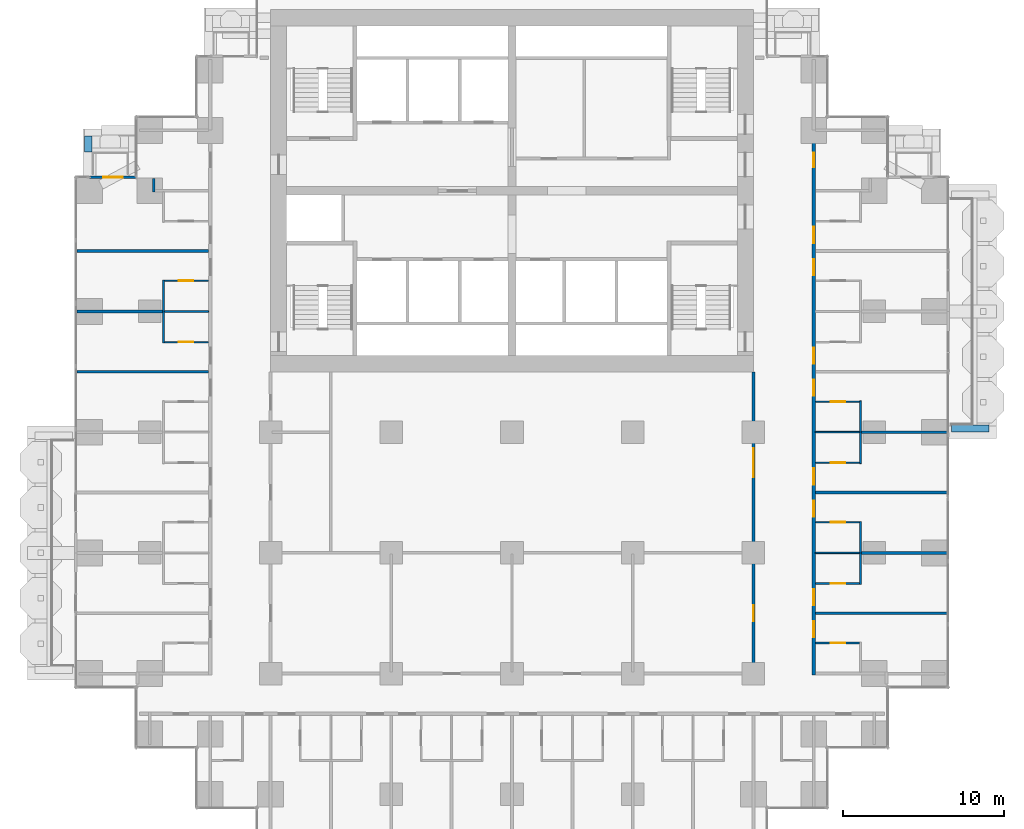
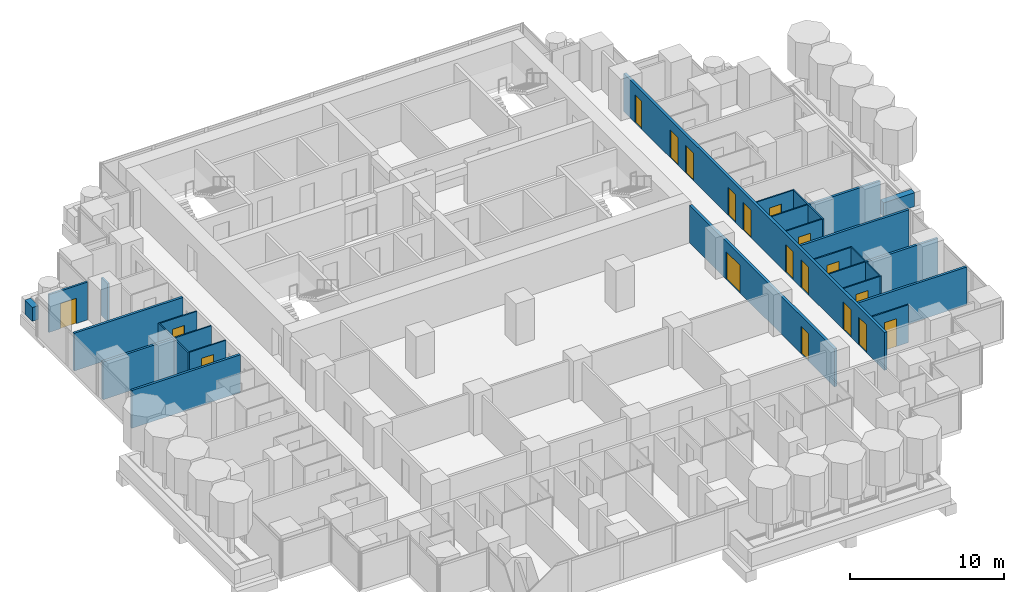
# One storey, part 13 of 19: 26 walls, 19 doors, 19 openings.
"""IFC4 building model written with IfcOpenShell, lengths in metres."""

from ifc_helpers import new_model, si_unit, direction, frame, frame_2d, origin, place, context, subcontext, project, spatial, rectangle, extrude, material, layer, layer_set, type_object, element, fill, save


model = new_model("IFC4")

# Units and contexts
model_context = context("Model", 3, precision=1e-05, world=origin(), true_north=direction((0.0, 1.0)))
body_context = subcontext(model_context, "Body", "Model", "MODEL_VIEW")
ifc_project = project(units=[si_unit("LENGTHUNIT", "METRE"), si_unit("AREAUNIT", "SQUARE_METRE"), si_unit("VOLUMEUNIT", "CUBIC_METRE"), si_unit("PLANEANGLEUNIT", "RADIAN"), si_unit("MASSUNIT", "GRAM", prefix="KILO")], contexts=[model_context])

# Site, building, storey
site_placement = place(None, origin())
site = spatial("IfcSite", under=ifc_project, at=site_placement, CompositionType="ELEMENT")
building_placement = place(site_placement, origin())
building = spatial("IfcBuilding", under=site, at=building_placement, Name="Pilkhan Gate Tower", CompositionType="ELEMENT")
storey_placement = place(building_placement, frame((0.0, 0.0, 46.10009765625)))
storey = spatial("IfcBuildingStorey", under=building, at=storey_placement, Name="L08", CompositionType="ELEMENT", Elevation=46.10009765625)

# Walls
ifc_material_1 = material(Name="Dense blockwork", Category="masonry")
ifc_layer_1 = layer(ifc_material_1, 0.175048828125)
ifc_layer_set_1 = layer_set([ifc_layer_1], Name="Acoustic party wall PW175")
wall_type_1 = type_object("IfcWallType", Name="Acoustic party wall PW175", PredefinedType="PARTITIONING", material=ifc_layer_set_1)
wall_1_placement = place(storey_placement, frame((93.85009765625, 56.25, 0.0), z_axis=(0.0, 0.0, 1.0), x_axis=(1.0, 0.0, 0.0)))
element("IfcWall", 1, at=wall_1_placement, inside=storey, type_object=wall_type_1, Name="Partition L08", PredefinedType="PARTITIONING", context=body_context, shape_type="SweptSolid", body=[
    extrude(rectangle(XDim=8.164794921875, YDim=0.175048828125, at=frame_2d((4.08251953125, 0.0))), origin(), (0.0, 0.0, 1.0), 3.0),
])
wall_2_placement = place(storey_placement, frame((96.699951171875, 60.0, 0.0), z_axis=(0.0, 0.0, 1.0), x_axis=(1.0, 0.0, 0.0)))
element("IfcWall", 2, at=wall_2_placement, inside=storey, type_object=wall_type_1, Name="Partition L08", PredefinedType="PARTITIONING", context=body_context, shape_type="SweptSolid", body=[
    extrude(rectangle(XDim=5.31494140625, YDim=0.175048828125, at=frame_2d((2.657470703125, 0.0))), origin(), (0.0, 0.0, 1.0), 3.0),
])
wall_3_placement = place(storey_placement, frame((93.85009765625, 63.75, 0.0), z_axis=(0.0, 0.0, 1.0), x_axis=(1.0, 0.0, 0.0)))
element("IfcWall", 3, at=wall_3_placement, inside=storey, type_object=wall_type_1, Name="Partition L08", PredefinedType="PARTITIONING", context=body_context, shape_type="SweptSolid", body=[
    extrude(rectangle(XDim=8.164794921875, YDim=0.175048828125, at=frame_2d((4.08251953125, 0.0))), origin(), (0.0, 0.0, 1.0), 3.0),
])
wall_4_placement = place(storey_placement, frame((96.699951171875, 67.5, 0.0), z_axis=(0.0, 0.0, 1.0), x_axis=(1.0, 0.0, 0.0)))
element("IfcWall", 4, at=wall_4_placement, inside=storey, type_object=wall_type_1, Name="Partition L08", PredefinedType="PARTITIONING", context=body_context, shape_type="SweptSolid", body=[
    extrude(rectangle(XDim=5.31494140625, YDim=0.175048828125, at=frame_2d((2.657470703125, 0.0))), origin(), (0.0, 0.0, 1.0), 3.0),
])
wall_5_placement = place(storey_placement, frame((47.985107421875, 71.25, 0.0), z_axis=(0.0, 0.0, 1.0), x_axis=(1.0, 0.0, 0.0)))
element("IfcWall", 5, at=wall_5_placement, inside=storey, type_object=wall_type_1, Name="Partition L08", PredefinedType="PARTITIONING", context=body_context, shape_type="SweptSolid", body=[
    extrude(rectangle(XDim=8.164794921875, YDim=0.175048828125, at=frame_2d((4.08251953125, 0.0))), origin(), (0.0, 0.0, 1.0), 3.0),
])
wall_6_placement = place(storey_placement, frame((47.985107421875, 75.0, 0.0), z_axis=(0.0, 0.0, 1.0), x_axis=(1.0, 0.0, 0.0)))
element("IfcWall", 6, at=wall_6_placement, inside=storey, type_object=wall_type_1, Name="Partition L08", PredefinedType="PARTITIONING", context=body_context, shape_type="SweptSolid", body=[
    extrude(rectangle(XDim=5.31494140625, YDim=0.175048828125, at=frame_2d((2.657470703125, 0.0))), origin(), (0.0, 0.0, 1.0), 3.0),
])
wall_7_placement = place(storey_placement, frame((47.985107421875, 78.75, 0.0), z_axis=(0.0, 0.0, 1.0), x_axis=(1.0, 0.0, 0.0)))
element("IfcWall", 7, at=wall_7_placement, inside=storey, type_object=wall_type_1, Name="Partition L08", PredefinedType="PARTITIONING", context=body_context, shape_type="SweptSolid", body=[
    extrude(rectangle(XDim=8.164794921875, YDim=0.175048828125, at=frame_2d((4.08251953125, 0.0))), origin(), (0.0, 0.0, 1.0), 3.0),
])
ifc_material_2 = material(Name="Board-marked Concrete C40/50", Category="concrete")
ifc_layer_2 = layer(ifc_material_2, 0.449951171875)
ifc_layer_set_2 = layer_set([ifc_layer_2], Name="Balcony planter lip BL450")
wall_type_2 = type_object("IfcWallType", Name="Balcony planter lip BL450", PredefinedType="USERDEFINED", material=ifc_layer_set_2)
wall_8_placement = place(storey_placement, frame((102.320068359375, 67.72509765625, 0.0), z_axis=(0.0, 0.0, 1.0), x_axis=(1.0, 0.0, 0.0)))
element("IfcWall", 8, at=wall_8_placement, inside=storey, type_object=wall_type_2, Name="Balcony planter L08 E", ObjectType="BALCONY PLANTER", PredefinedType="USERDEFINED", context=body_context, shape_type="SweptSolid", body=[
    extrude(rectangle(XDim=2.329833984375, YDim=0.449951171875, at=frame_2d((1.1650390625, 0.0))), origin(), (0.0, 0.0, 1.0), 1.099853515625),
])
wall_9_placement = place(storey_placement, frame((48.675048828125, 84.89990234375, 0.0), z_axis=(0.0, 0.0, 1.0), x_axis=(0.0, 1.0, 0.0)))
element("IfcWall", 9, at=wall_9_placement, inside=storey, type_object=wall_type_2, Name="Balcony planter L08 N", ObjectType="BALCONY PLANTER", PredefinedType="USERDEFINED", context=body_context, shape_type="SweptSolid", body=[
    extrude(rectangle(XDim=1.0, YDim=0.449951171875, at=frame_2d((0.5, 0.0))), origin(), (0.0, 0.0, 1.0), 1.099853515625),
])

# Wall, openings, doors
ifc_layer_3 = layer(ifc_material_1, 0.199951171875)
ifc_layer_set_3 = layer_set([ifc_layer_3], Name="Corridor wall FW200")
wall_type_3 = type_object("IfcWallType", Name="Corridor wall FW200", PredefinedType="PARTITIONING", material=ifc_layer_set_3)
wall_10_placement = place(storey_placement, frame((90.0, 52.39990234375, 0.0), z_axis=(0.0, 0.0, 1.0), x_axis=(0.0, 1.0, 0.0)))
wall_10 = element("IfcWall", 10, at=wall_10_placement, inside=storey, type_object=wall_type_3, Name="Partition L08", PredefinedType="PARTITIONING", context=body_context, shape_type="SweptSolid", body=[
    extrude(rectangle(XDim=18.840087890625, YDim=0.199951171875, at=frame_2d((9.419921875, 0.0))), origin(), (0.0, 0.0, 1.0), 3.0),
])
opening_1_placement = place(wall_10_placement, frame((3.35009765625, 0.0, 0.0)))
opening_1 = element("IfcOpeningElement", 11, at=opening_1_placement, cuts=wall_10, Name="Opening L08-70", PredefinedType="OPENING", context=body_context, shape_type="SweptSolid", body=[
    extrude(rectangle(XDim=1.0, YDim=2.199951171875, at=frame_2d((0.5, 1.10009765625))), frame((0.0, 0.10986328125, 0.0), z_axis=(0.0, -1.0, 0.0), x_axis=(1.0, 0.0, 0.0)), (0.0, 0.0, 1.0), 0.219970703125),
])
opening_2_placement = place(wall_10_placement, frame((12.300048828125, 0.0, 0.0)))
opening_2 = element("IfcOpeningElement", 12, at=opening_2_placement, cuts=wall_10, Name="Opening L08-73", PredefinedType="OPENING", context=body_context, shape_type="SweptSolid", body=[
    extrude(rectangle(XDim=1.800048828125, YDim=2.199951171875, at=frame_2d((0.89990234375, 1.10009765625))), frame((0.0, 0.10986328125, 0.0), z_axis=(0.0, -1.0, 0.0), x_axis=(1.0, 0.0, 0.0)), (0.0, 0.0, 1.0), 0.219970703125),
])
ifc_material_3 = material(Name="Timber glazed double door, 30 minute fire resisting", Category="wood")
door_type_1 = type_object("IfcDoorType", Name="Double door D04 1800x2200", OperationType="DOUBLE_DOOR_SINGLE_SWING", PredefinedType="DOOR", material=ifc_material_3)
door_1_placement = place(opening_2_placement, origin())
door_1 = element("IfcDoor", 13, at=door_1_placement, inside=storey, type_object=door_type_1, Name="Double door", OperationType="DOUBLE_DOOR_SINGLE_SWING", OverallHeight=2.199951171875, OverallWidth=1.800048828125, PredefinedType="DOOR", context=body_context, shape_type="SweptSolid", body=[
    extrude(rectangle(XDim=1.800048828125, YDim=2.199951171875, at=frame_2d((0.89990234375, 1.10009765625))), frame((0.0, 0.02490234375, 0.0), z_axis=(0.0, -1.0, 0.0), x_axis=(1.0, 0.0, 0.0)), (0.0, 0.0, 1.0), 0.050048828125),
])
fill(opening_2, door_1)
ifc_material_4 = material(Name="Timber flush door, 30 minute fire resisting", Category="wood")
door_type_2 = type_object("IfcDoorType", Name="Room door D03 1000x2200", OperationType="SINGLE_SWING_LEFT", PredefinedType="DOOR", material=ifc_material_4)
door_2_placement = place(opening_1_placement, origin())
door_2 = element("IfcDoor", 14, at=door_2_placement, inside=storey, type_object=door_type_2, Name="Room door", OperationType="SINGLE_SWING_LEFT", OverallHeight=2.199951171875, OverallWidth=1.0, PredefinedType="DOOR", context=body_context, shape_type="SweptSolid", body=[
    extrude(rectangle(XDim=1.0, YDim=2.199951171875, at=frame_2d((0.5, 1.10009765625))), frame((0.0, 0.02490234375, 0.0), z_axis=(0.0, -1.0, 0.0), x_axis=(1.0, 0.0, 0.0)), (0.0, 0.0, 1.0), 0.050048828125),
])
fill(opening_1, door_2)

wall_11_placement = place(storey_placement, frame((93.75, 52.39990234375, 0.0), z_axis=(0.0, 0.0, 1.0), x_axis=(0.0, 1.0, 0.0)))
wall_11 = element("IfcWall", 15, at=wall_11_placement, inside=storey, type_object=wall_type_3, Name="Partition L08", PredefinedType="PARTITIONING", context=body_context, shape_type="SweptSolid", body=[
    extrude(rectangle(XDim=33.925048828125, YDim=0.199951171875, at=frame_2d((16.96240234375, 0.0))), origin(), (0.0, 0.0, 1.0), 3.0),
])
opening_3_placement = place(wall_11_placement, frame((2.35009765625, 0.0, 0.0)))
opening_3 = element("IfcOpeningElement", 16, at=opening_3_placement, cuts=wall_11, Name="Opening L08-42", PredefinedType="OPENING", context=body_context, shape_type="SweptSolid", body=[
    extrude(rectangle(XDim=1.0, YDim=2.199951171875, at=frame_2d((0.5, 1.10009765625))), frame((0.0, 0.10986328125, 0.0), z_axis=(0.0, -1.0, 0.0), x_axis=(1.0, 0.0, 0.0)), (0.0, 0.0, 1.0), 0.219970703125),
])
opening_4_placement = place(wall_11_placement, frame((4.35009765625, 0.0, 0.0)))
opening_4 = element("IfcOpeningElement", 17, at=opening_4_placement, cuts=wall_11, Name="Opening L08-44", PredefinedType="OPENING", context=body_context, shape_type="SweptSolid", body=[
    extrude(rectangle(XDim=1.0, YDim=2.199951171875, at=frame_2d((0.5, 1.10009765625))), frame((0.0, 0.10986328125, 0.0), z_axis=(0.0, -1.0, 0.0), x_axis=(1.0, 0.0, 0.0)), (0.0, 0.0, 1.0), 0.219970703125),
])
opening_5_placement = place(wall_11_placement, frame((9.85009765625, 0.0, 0.0)))
opening_5 = element("IfcOpeningElement", 18, at=opening_5_placement, cuts=wall_11, Name="Opening L08-46", PredefinedType="OPENING", context=body_context, shape_type="SweptSolid", body=[
    extrude(rectangle(XDim=1.0, YDim=2.199951171875, at=frame_2d((0.5, 1.10009765625))), frame((0.0, 0.10986328125, 0.0), z_axis=(0.0, -1.0, 0.0), x_axis=(1.0, 0.0, 0.0)), (0.0, 0.0, 1.0), 0.219970703125),
])
opening_6_placement = place(wall_11_placement, frame((11.85009765625, 0.0, 0.0)))
opening_6 = element("IfcOpeningElement", 19, at=opening_6_placement, cuts=wall_11, Name="Opening L08-48", PredefinedType="OPENING", context=body_context, shape_type="SweptSolid", body=[
    extrude(rectangle(XDim=1.0, YDim=2.199951171875, at=frame_2d((0.5, 1.10009765625))), frame((0.0, 0.10986328125, 0.0), z_axis=(0.0, -1.0, 0.0), x_axis=(1.0, 0.0, 0.0)), (0.0, 0.0, 1.0), 0.219970703125),
])
opening_7_placement = place(wall_11_placement, frame((17.35009765625, 0.0, 0.0)))
opening_7 = element("IfcOpeningElement", 20, at=opening_7_placement, cuts=wall_11, Name="Opening L08-50", PredefinedType="OPENING", context=body_context, shape_type="SweptSolid", body=[
    extrude(rectangle(XDim=1.0, YDim=2.199951171875, at=frame_2d((0.5, 1.10009765625))), frame((0.0, 0.10986328125, 0.0), z_axis=(0.0, -1.0, 0.0), x_axis=(1.0, 0.0, 0.0)), (0.0, 0.0, 1.0), 0.219970703125),
])
opening_8_placement = place(wall_11_placement, frame((19.35009765625, 0.0, 0.0)))
opening_8 = element("IfcOpeningElement", 21, at=opening_8_placement, cuts=wall_11, Name="Opening L08-52", PredefinedType="OPENING", context=body_context, shape_type="SweptSolid", body=[
    extrude(rectangle(XDim=1.0, YDim=2.199951171875, at=frame_2d((0.5, 1.10009765625))), frame((0.0, 0.10986328125, 0.0), z_axis=(0.0, -1.0, 0.0), x_axis=(1.0, 0.0, 0.0)), (0.0, 0.0, 1.0), 0.219970703125),
])
opening_9_placement = place(wall_11_placement, frame((24.85009765625, 0.0, 0.0)))
opening_9 = element("IfcOpeningElement", 22, at=opening_9_placement, cuts=wall_11, Name="Opening L08-54", PredefinedType="OPENING", context=body_context, shape_type="SweptSolid", body=[
    extrude(rectangle(XDim=1.0, YDim=2.199951171875, at=frame_2d((0.5, 1.10009765625))), frame((0.0, 0.10986328125, 0.0), z_axis=(0.0, -1.0, 0.0), x_axis=(1.0, 0.0, 0.0)), (0.0, 0.0, 1.0), 0.219970703125),
])
opening_10_placement = place(wall_11_placement, frame((26.85009765625, 0.0, 0.0)))
opening_10 = element("IfcOpeningElement", 23, at=opening_10_placement, cuts=wall_11, Name="Opening L08-56", PredefinedType="OPENING", context=body_context, shape_type="SweptSolid", body=[
    extrude(rectangle(XDim=1.0, YDim=2.199951171875, at=frame_2d((0.5, 1.10009765625))), frame((0.0, 0.10986328125, 0.0), z_axis=(0.0, -1.0, 0.0), x_axis=(1.0, 0.0, 0.0)), (0.0, 0.0, 1.0), 0.219970703125),
])
opening_11_placement = place(wall_11_placement, frame((31.550048828125, 0.0, 0.0)))
opening_11 = element("IfcOpeningElement", 24, at=opening_11_placement, cuts=wall_11, Name="Opening L08-66", PredefinedType="OPENING", context=body_context, shape_type="SweptSolid", body=[
    extrude(rectangle(XDim=0.89990234375, YDim=2.199951171875, at=frame_2d((0.449951171875, 1.10009765625))), frame((0.0, 0.10986328125, 0.0), z_axis=(0.0, -1.0, 0.0), x_axis=(1.0, 0.0, 0.0)), (0.0, 0.0, 1.0), 0.219970703125),
])
door_type_3 = type_object("IfcDoorType", Name="Guest room door D01 1000x2200", OperationType="SINGLE_SWING_LEFT", PredefinedType="DOOR", material=ifc_material_4)
door_3_placement = place(opening_3_placement, origin())
door_3 = element("IfcDoor", 25, at=door_3_placement, inside=storey, type_object=door_type_3, Name="Guest room door", OperationType="SINGLE_SWING_LEFT", OverallHeight=2.199951171875, OverallWidth=1.0, PredefinedType="DOOR", context=body_context, shape_type="SweptSolid", body=[
    extrude(rectangle(XDim=1.0, YDim=2.199951171875, at=frame_2d((0.5, 1.10009765625))), frame((0.0, 0.02490234375, 0.0), z_axis=(0.0, -1.0, 0.0), x_axis=(1.0, 0.0, 0.0)), (0.0, 0.0, 1.0), 0.050048828125),
])
fill(opening_3, door_3)
door_4_placement = place(opening_4_placement, origin())
door_4 = element("IfcDoor", 26, at=door_4_placement, inside=storey, type_object=door_type_3, Name="Guest room door", OperationType="SINGLE_SWING_LEFT", OverallHeight=2.199951171875, OverallWidth=1.0, PredefinedType="DOOR", context=body_context, shape_type="SweptSolid", body=[
    extrude(rectangle(XDim=1.0, YDim=2.199951171875, at=frame_2d((0.5, 1.10009765625))), frame((0.0, 0.02490234375, 0.0), z_axis=(0.0, -1.0, 0.0), x_axis=(1.0, 0.0, 0.0)), (0.0, 0.0, 1.0), 0.050048828125),
])
fill(opening_4, door_4)
door_5_placement = place(opening_5_placement, origin())
door_5 = element("IfcDoor", 27, at=door_5_placement, inside=storey, type_object=door_type_3, Name="Guest room door", OperationType="SINGLE_SWING_LEFT", OverallHeight=2.199951171875, OverallWidth=1.0, PredefinedType="DOOR", context=body_context, shape_type="SweptSolid", body=[
    extrude(rectangle(XDim=1.0, YDim=2.199951171875, at=frame_2d((0.5, 1.10009765625))), frame((0.0, 0.02490234375, 0.0), z_axis=(0.0, -1.0, 0.0), x_axis=(1.0, 0.0, 0.0)), (0.0, 0.0, 1.0), 0.050048828125),
])
fill(opening_5, door_5)
door_6_placement = place(opening_6_placement, origin())
door_6 = element("IfcDoor", 28, at=door_6_placement, inside=storey, type_object=door_type_3, Name="Guest room door", OperationType="SINGLE_SWING_LEFT", OverallHeight=2.199951171875, OverallWidth=1.0, PredefinedType="DOOR", context=body_context, shape_type="SweptSolid", body=[
    extrude(rectangle(XDim=1.0, YDim=2.199951171875, at=frame_2d((0.5, 1.10009765625))), frame((0.0, 0.02490234375, 0.0), z_axis=(0.0, -1.0, 0.0), x_axis=(1.0, 0.0, 0.0)), (0.0, 0.0, 1.0), 0.050048828125),
])
fill(opening_6, door_6)
door_7_placement = place(opening_7_placement, origin())
door_7 = element("IfcDoor", 29, at=door_7_placement, inside=storey, type_object=door_type_3, Name="Guest room door", OperationType="SINGLE_SWING_LEFT", OverallHeight=2.199951171875, OverallWidth=1.0, PredefinedType="DOOR", context=body_context, shape_type="SweptSolid", body=[
    extrude(rectangle(XDim=1.0, YDim=2.199951171875, at=frame_2d((0.5, 1.10009765625))), frame((0.0, 0.02490234375, 0.0), z_axis=(0.0, -1.0, 0.0), x_axis=(1.0, 0.0, 0.0)), (0.0, 0.0, 1.0), 0.050048828125),
])
fill(opening_7, door_7)
door_8_placement = place(opening_8_placement, origin())
door_8 = element("IfcDoor", 30, at=door_8_placement, inside=storey, type_object=door_type_3, Name="Guest room door", OperationType="SINGLE_SWING_LEFT", OverallHeight=2.199951171875, OverallWidth=1.0, PredefinedType="DOOR", context=body_context, shape_type="SweptSolid", body=[
    extrude(rectangle(XDim=1.0, YDim=2.199951171875, at=frame_2d((0.5, 1.10009765625))), frame((0.0, 0.02490234375, 0.0), z_axis=(0.0, -1.0, 0.0), x_axis=(1.0, 0.0, 0.0)), (0.0, 0.0, 1.0), 0.050048828125),
])
fill(opening_8, door_8)
door_9_placement = place(opening_9_placement, origin())
door_9 = element("IfcDoor", 31, at=door_9_placement, inside=storey, type_object=door_type_3, Name="Guest room door", OperationType="SINGLE_SWING_LEFT", OverallHeight=2.199951171875, OverallWidth=1.0, PredefinedType="DOOR", context=body_context, shape_type="SweptSolid", body=[
    extrude(rectangle(XDim=1.0, YDim=2.199951171875, at=frame_2d((0.5, 1.10009765625))), frame((0.0, 0.02490234375, 0.0), z_axis=(0.0, -1.0, 0.0), x_axis=(1.0, 0.0, 0.0)), (0.0, 0.0, 1.0), 0.050048828125),
])
fill(opening_9, door_9)
door_10_placement = place(opening_10_placement, origin())
door_10 = element("IfcDoor", 32, at=door_10_placement, inside=storey, type_object=door_type_3, Name="Guest room door", OperationType="SINGLE_SWING_RIGHT", OverallHeight=2.199951171875, OverallWidth=1.0, PredefinedType="DOOR", context=body_context, shape_type="SweptSolid", body=[
    extrude(rectangle(XDim=1.0, YDim=2.199951171875, at=frame_2d((0.5, 1.10009765625))), frame((0.0, 0.02490234375, 0.0), z_axis=(0.0, -1.0, 0.0), x_axis=(1.0, 0.0, 0.0)), (0.0, 0.0, 1.0), 0.050048828125),
])
fill(opening_10, door_10)
ifc_material_5 = material(Name="Timber flush door, 60 minute fire resisting, self-closing", Category="wood")
door_type_4 = type_object("IfcDoorType", Name="Store door D05 900x2200", OperationType="SINGLE_SWING_LEFT", PredefinedType="DOOR", material=ifc_material_5)
door_11_placement = place(opening_11_placement, origin())
door_11 = element("IfcDoor", 33, at=door_11_placement, inside=storey, type_object=door_type_4, Name="Store door", OperationType="SINGLE_SWING_LEFT", OverallHeight=2.199951171875, OverallWidth=0.89990234375, PredefinedType="DOOR", context=body_context, shape_type="SweptSolid", body=[
    extrude(rectangle(XDim=0.89990234375, YDim=2.199951171875, at=frame_2d((0.449951171875, 1.10009765625))), frame((0.0, 0.02490234375, 0.0), z_axis=(0.0, -1.0, 0.0), x_axis=(1.0, 0.0, 0.0)), (0.0, 0.0, 1.0), 0.050048828125),
])
fill(opening_11, door_11)

# Wall, opening, door
ifc_material_6 = material(Name="Pale anodised aluminium, clear laminated glazing", Category="aluminium")
ifc_layer_4 = layer(ifc_material_6, 0.14990234375)
ifc_layer_set_4 = layer_set([ifc_layer_4], Name="Facade infill wall IW150")
wall_type_4 = type_object("IfcWallType", Name="Facade infill wall IW150", PredefinedType="SOLIDWALL", material=ifc_layer_set_4)
wall_12_placement = place(storey_placement, frame((48.75, 83.344970703125, 0.0), z_axis=(0.0, 0.0, 1.0), x_axis=(1.0, 0.0, 0.0)))
wall_12 = element("IfcWall", 34, at=wall_12_placement, inside=storey, type_object=wall_type_4, Name="Infill wall L08 N", PredefinedType="SOLIDWALL", context=body_context, shape_type="SweptSolid", body=[
    extrude(rectangle(XDim=2.905029296875, YDim=0.14990234375, at=frame_2d((1.45263671875, 0.0))), origin(), (0.0, 0.0, 1.0), 3.0),
])
opening_12_placement = place(wall_12_placement, frame((0.8525390625, 0.0, 0.0)))
opening_12 = element("IfcOpeningElement", 35, at=opening_12_placement, cuts=wall_12, Name="Opening D1L", PredefinedType="OPENING", context=body_context, shape_type="SweptSolid", body=[
    extrude(rectangle(XDim=1.199951171875, YDim=2.0, at=frame_2d((0.60009765625, 1.0))), frame((0.0, 0.0849609375, 0.0), z_axis=(0.0, -1.0, 0.0), x_axis=(1.0, 0.0, 0.0)), (0.0, 0.0, 1.0), 0.169921875),
])
ifc_material_7 = material(Name="Pale anodised aluminium, clear glazing", Category="aluminium")
door_type_5 = type_object("IfcDoorType", Name="Balcony door D1L 1200x2000", OperationType="SINGLE_SWING_LEFT", PredefinedType="DOOR", material=ifc_material_7)
door_12_placement = place(opening_12_placement, origin())
door_12 = element("IfcDoor", 36, at=door_12_placement, inside=storey, type_object=door_type_5, Name="Balcony door L08", OperationType="SINGLE_SWING_LEFT", OverallHeight=2.0, OverallWidth=1.199951171875, PredefinedType="DOOR", context=body_context, shape_type="SweptSolid", body=[
    extrude(rectangle(XDim=1.199951171875, YDim=2.0, at=frame_2d((0.60009765625, 1.0))), frame((0.0, 0.02490234375, 0.0), z_axis=(0.0, -1.0, 0.0), x_axis=(1.0, 0.0, 0.0)), (0.0, 0.0, 1.0), 0.050048828125),
])
fill(opening_12, door_12)

# Wall
ifc_material_8 = material(Name="Blockwork partition, plastered both sides", Category="masonry")
ifc_layer_5 = layer(ifc_material_8, 0.14990234375)
ifc_layer_set_5 = layer_set([ifc_layer_5], Name="Partition PW150")
wall_type_5 = type_object("IfcWallType", Name="Partition PW150", PredefinedType="PARTITIONING", material=ifc_layer_set_5)
wall_13_placement = place(storey_placement, frame((52.735107421875, 82.425048828125, 0.0), z_axis=(0.0, 0.0, 1.0), x_axis=(0.0, 1.0, 0.0)))
element("IfcWall", 37, at=wall_13_placement, inside=storey, type_object=wall_type_5, Name="Partition L08", PredefinedType="PARTITIONING", context=body_context, shape_type="SweptSolid", body=[
    extrude(rectangle(XDim=0.83984375, YDim=0.14990234375, at=frame_2d((0.419921875, 0.0))), origin(), (0.0, 0.0, 1.0), 3.0),
])

# Wall, opening, door
ifc_material_9 = material(Name="Moisture resistant board, tiled")
ifc_layer_6 = layer(ifc_material_9, 0.10009765625)
ifc_layer_set_6 = layer_set([ifc_layer_6], Name="Wet wall PW100")
wall_type_6 = type_object("IfcWallType", Name="Wet wall PW100", PredefinedType="PARTITIONING", material=ifc_layer_set_6)
wall_14_placement = place(storey_placement, frame((93.85009765625, 54.39990234375, 0.0), z_axis=(0.0, 0.0, 1.0), x_axis=(1.0, 0.0, 0.0)))
wall_14 = element("IfcWall", 38, at=wall_14_placement, inside=storey, type_object=wall_type_6, Name="Partition L08", PredefinedType="PARTITIONING", context=body_context, shape_type="SweptSolid", body=[
    extrude(rectangle(XDim=2.75, YDim=0.10009765625, at=frame_2d((1.375, 0.0))), origin(), (0.0, 0.0, 1.0), 3.0),
])
opening_13_placement = place(wall_14_placement, frame((0.949951171875, 0.0, 0.0)))
opening_13 = element("IfcOpeningElement", 39, at=opening_13_placement, cuts=wall_14, Name="Opening L08-43", PredefinedType="OPENING", context=body_context, shape_type="SweptSolid", body=[
    extrude(rectangle(XDim=0.89990234375, YDim=2.199951171875, at=frame_2d((0.449951171875, 1.10009765625))), frame((0.0, 0.06005859375, 0.0), z_axis=(0.0, -1.0, 0.0), x_axis=(1.0, 0.0, 0.0)), (0.0, 0.0, 1.0), 0.1201171875),
])
ifc_material_10 = material(Name="Timber flush door", Category="wood")
door_type_6 = type_object("IfcDoorType", Name="Bathroom door D02 900x2200", OperationType="SINGLE_SWING_RIGHT", PredefinedType="DOOR", material=ifc_material_10)
door_13_placement = place(opening_13_placement, origin())
door_13 = element("IfcDoor", 40, at=door_13_placement, inside=storey, type_object=door_type_6, Name="Bathroom door", OperationType="SINGLE_SWING_RIGHT", OverallHeight=2.199951171875, OverallWidth=0.89990234375, PredefinedType="DOOR", context=body_context, shape_type="SweptSolid", body=[
    extrude(rectangle(XDim=0.89990234375, YDim=2.199951171875, at=frame_2d((0.449951171875, 1.10009765625))), frame((0.0, 0.02490234375, 0.0), z_axis=(0.0, -1.0, 0.0), x_axis=(1.0, 0.0, 0.0)), (0.0, 0.0, 1.0), 0.050048828125),
])
fill(opening_13, door_13)

wall_15_placement = place(storey_placement, frame((93.85009765625, 58.10009765625, 0.0), z_axis=(0.0, 0.0, 1.0), x_axis=(1.0, 0.0, 0.0)))
wall_15 = element("IfcWall", 41, at=wall_15_placement, inside=storey, type_object=wall_type_6, Name="Partition L08", PredefinedType="PARTITIONING", context=body_context, shape_type="SweptSolid", body=[
    extrude(rectangle(XDim=2.75, YDim=0.10009765625, at=frame_2d((1.375, 0.0))), origin(), (0.0, 0.0, 1.0), 3.0),
])
opening_14_placement = place(wall_15_placement, frame((0.949951171875, 0.0, 0.0)))
opening_14 = element("IfcOpeningElement", 42, at=opening_14_placement, cuts=wall_15, Name="Opening L08-45", PredefinedType="OPENING", context=body_context, shape_type="SweptSolid", body=[
    extrude(rectangle(XDim=0.89990234375, YDim=2.199951171875, at=frame_2d((0.449951171875, 1.10009765625))), frame((0.0, 0.06005859375, 0.0), z_axis=(0.0, -1.0, 0.0), x_axis=(1.0, 0.0, 0.0)), (0.0, 0.0, 1.0), 0.1201171875),
])
door_14_placement = place(opening_14_placement, origin())
door_14 = element("IfcDoor", 43, at=door_14_placement, inside=storey, type_object=door_type_6, Name="Bathroom door", OperationType="SINGLE_SWING_RIGHT", OverallHeight=2.199951171875, OverallWidth=0.89990234375, PredefinedType="DOOR", context=body_context, shape_type="SweptSolid", body=[
    extrude(rectangle(XDim=0.89990234375, YDim=2.199951171875, at=frame_2d((0.449951171875, 1.10009765625))), frame((0.0, 0.02490234375, 0.0), z_axis=(0.0, -1.0, 0.0), x_axis=(1.0, 0.0, 0.0)), (0.0, 0.0, 1.0), 0.050048828125),
])
fill(opening_14, door_14)

# Wall
wall_16_placement = place(storey_placement, frame((93.85009765625, 60.0, 0.0), z_axis=(0.0, 0.0, 1.0), x_axis=(1.0, 0.0, 0.0)))
element("IfcWall", 44, at=wall_16_placement, inside=storey, type_object=wall_type_6, Name="Partition L08", PredefinedType="PARTITIONING", context=body_context, shape_type="SweptSolid", body=[
    extrude(rectangle(XDim=2.75, YDim=0.10009765625, at=frame_2d((1.375, 0.0))), origin(), (0.0, 0.0, 1.0), 3.0),
])

# Wall, opening, door
wall_17_placement = place(storey_placement, frame((93.85009765625, 61.89990234375, 0.0), z_axis=(0.0, 0.0, 1.0), x_axis=(1.0, 0.0, 0.0)))
wall_17 = element("IfcWall", 45, at=wall_17_placement, inside=storey, type_object=wall_type_6, Name="Partition L08", PredefinedType="PARTITIONING", context=body_context, shape_type="SweptSolid", body=[
    extrude(rectangle(XDim=2.75, YDim=0.10009765625, at=frame_2d((1.375, 0.0))), origin(), (0.0, 0.0, 1.0), 3.0),
])
opening_15_placement = place(wall_17_placement, frame((0.949951171875, 0.0, 0.0)))
opening_15 = element("IfcOpeningElement", 46, at=opening_15_placement, cuts=wall_17, Name="Opening L08-47", PredefinedType="OPENING", context=body_context, shape_type="SweptSolid", body=[
    extrude(rectangle(XDim=0.89990234375, YDim=2.199951171875, at=frame_2d((0.449951171875, 1.10009765625))), frame((0.0, 0.06005859375, 0.0), z_axis=(0.0, -1.0, 0.0), x_axis=(1.0, 0.0, 0.0)), (0.0, 0.0, 1.0), 0.1201171875),
])
door_15_placement = place(opening_15_placement, origin())
door_15 = element("IfcDoor", 47, at=door_15_placement, inside=storey, type_object=door_type_6, Name="Bathroom door", OperationType="SINGLE_SWING_RIGHT", OverallHeight=2.199951171875, OverallWidth=0.89990234375, PredefinedType="DOOR", context=body_context, shape_type="SweptSolid", body=[
    extrude(rectangle(XDim=0.89990234375, YDim=2.199951171875, at=frame_2d((0.449951171875, 1.10009765625))), frame((0.0, 0.02490234375, 0.0), z_axis=(0.0, -1.0, 0.0), x_axis=(1.0, 0.0, 0.0)), (0.0, 0.0, 1.0), 0.050048828125),
])
fill(opening_15, door_15)

wall_18_placement = place(storey_placement, frame((93.85009765625, 65.60009765625, 0.0), z_axis=(0.0, 0.0, 1.0), x_axis=(1.0, 0.0, 0.0)))
wall_18 = element("IfcWall", 48, at=wall_18_placement, inside=storey, type_object=wall_type_6, Name="Partition L08", PredefinedType="PARTITIONING", context=body_context, shape_type="SweptSolid", body=[
    extrude(rectangle(XDim=2.75, YDim=0.10009765625, at=frame_2d((1.375, 0.0))), origin(), (0.0, 0.0, 1.0), 3.0),
])
opening_16_placement = place(wall_18_placement, frame((0.949951171875, 0.0, 0.0)))
opening_16 = element("IfcOpeningElement", 49, at=opening_16_placement, cuts=wall_18, Name="Opening L08-49", PredefinedType="OPENING", context=body_context, shape_type="SweptSolid", body=[
    extrude(rectangle(XDim=0.89990234375, YDim=2.199951171875, at=frame_2d((0.449951171875, 1.10009765625))), frame((0.0, 0.06005859375, 0.0), z_axis=(0.0, -1.0, 0.0), x_axis=(1.0, 0.0, 0.0)), (0.0, 0.0, 1.0), 0.1201171875),
])
door_16_placement = place(opening_16_placement, origin())
door_16 = element("IfcDoor", 50, at=door_16_placement, inside=storey, type_object=door_type_6, Name="Bathroom door", OperationType="SINGLE_SWING_RIGHT", OverallHeight=2.199951171875, OverallWidth=0.89990234375, PredefinedType="DOOR", context=body_context, shape_type="SweptSolid", body=[
    extrude(rectangle(XDim=0.89990234375, YDim=2.199951171875, at=frame_2d((0.449951171875, 1.10009765625))), frame((0.0, 0.02490234375, 0.0), z_axis=(0.0, -1.0, 0.0), x_axis=(1.0, 0.0, 0.0)), (0.0, 0.0, 1.0), 0.050048828125),
])
fill(opening_16, door_16)

# Wall
wall_19_placement = place(storey_placement, frame((93.85009765625, 67.5, 0.0), z_axis=(0.0, 0.0, 1.0), x_axis=(1.0, 0.0, 0.0)))
element("IfcWall", 51, at=wall_19_placement, inside=storey, type_object=wall_type_6, Name="Partition L08", PredefinedType="PARTITIONING", context=body_context, shape_type="SweptSolid", body=[
    extrude(rectangle(XDim=2.75, YDim=0.10009765625, at=frame_2d((1.375, 0.0))), origin(), (0.0, 0.0, 1.0), 3.0),
])

# Wall, opening, door
wall_20_placement = place(storey_placement, frame((93.85009765625, 69.39990234375, 0.0), z_axis=(0.0, 0.0, 1.0), x_axis=(1.0, 0.0, 0.0)))
wall_20 = element("IfcWall", 52, at=wall_20_placement, inside=storey, type_object=wall_type_6, Name="Partition L08", PredefinedType="PARTITIONING", context=body_context, shape_type="SweptSolid", body=[
    extrude(rectangle(XDim=2.75, YDim=0.10009765625, at=frame_2d((1.375, 0.0))), origin(), (0.0, 0.0, 1.0), 3.0),
])
opening_17_placement = place(wall_20_placement, frame((0.949951171875, 0.0, 0.0)))
opening_17 = element("IfcOpeningElement", 53, at=opening_17_placement, cuts=wall_20, Name="Opening L08-51", PredefinedType="OPENING", context=body_context, shape_type="SweptSolid", body=[
    extrude(rectangle(XDim=0.89990234375, YDim=2.199951171875, at=frame_2d((0.449951171875, 1.10009765625))), frame((0.0, 0.06005859375, 0.0), z_axis=(0.0, -1.0, 0.0), x_axis=(1.0, 0.0, 0.0)), (0.0, 0.0, 1.0), 0.1201171875),
])
door_17_placement = place(opening_17_placement, origin())
door_17 = element("IfcDoor", 54, at=door_17_placement, inside=storey, type_object=door_type_6, Name="Bathroom door", OperationType="SINGLE_SWING_RIGHT", OverallHeight=2.199951171875, OverallWidth=0.89990234375, PredefinedType="DOOR", context=body_context, shape_type="SweptSolid", body=[
    extrude(rectangle(XDim=0.89990234375, YDim=2.199951171875, at=frame_2d((0.449951171875, 1.10009765625))), frame((0.0, 0.02490234375, 0.0), z_axis=(0.0, -1.0, 0.0), x_axis=(1.0, 0.0, 0.0)), (0.0, 0.0, 1.0), 0.050048828125),
])
fill(opening_17, door_17)

wall_21_placement = place(storey_placement, frame((53.39990234375, 73.10009765625, 0.0), z_axis=(0.0, 0.0, 1.0), x_axis=(1.0, 0.0, 0.0)))
wall_21 = element("IfcWall", 55, at=wall_21_placement, inside=storey, type_object=wall_type_6, Name="Partition L08", PredefinedType="PARTITIONING", context=body_context, shape_type="SweptSolid", body=[
    extrude(rectangle(XDim=2.75, YDim=0.10009765625, at=frame_2d((1.375, 0.0))), origin(), (0.0, 0.0, 1.0), 3.0),
])
opening_18_placement = place(wall_21_placement, frame((0.89990234375, 0.0, 0.0)))
opening_18 = element("IfcOpeningElement", 56, at=opening_18_placement, cuts=wall_21, Name="Opening L08-37", PredefinedType="OPENING", context=body_context, shape_type="SweptSolid", body=[
    extrude(rectangle(XDim=0.89990234375, YDim=2.199951171875, at=frame_2d((0.449951171875, 1.10009765625))), frame((0.0, 0.06005859375, 0.0), z_axis=(0.0, -1.0, 0.0), x_axis=(1.0, 0.0, 0.0)), (0.0, 0.0, 1.0), 0.1201171875),
])
door_18_placement = place(opening_18_placement, origin())
door_18 = element("IfcDoor", 57, at=door_18_placement, inside=storey, type_object=door_type_6, Name="Bathroom door", OperationType="SINGLE_SWING_RIGHT", OverallHeight=2.199951171875, OverallWidth=0.89990234375, PredefinedType="DOOR", context=body_context, shape_type="SweptSolid", body=[
    extrude(rectangle(XDim=0.89990234375, YDim=2.199951171875, at=frame_2d((0.449951171875, 1.10009765625))), frame((0.0, 0.02490234375, 0.0), z_axis=(0.0, -1.0, 0.0), x_axis=(1.0, 0.0, 0.0)), (0.0, 0.0, 1.0), 0.050048828125),
])
fill(opening_18, door_18)

# Wall
wall_22_placement = place(storey_placement, frame((53.39990234375, 75.0, 0.0), z_axis=(0.0, 0.0, 1.0), x_axis=(1.0, 0.0, 0.0)))
element("IfcWall", 58, at=wall_22_placement, inside=storey, type_object=wall_type_6, Name="Partition L08", PredefinedType="PARTITIONING", context=body_context, shape_type="SweptSolid", body=[
    extrude(rectangle(XDim=2.75, YDim=0.10009765625, at=frame_2d((1.375, 0.0))), origin(), (0.0, 0.0, 1.0), 3.0),
])

# Wall, opening, door
wall_23_placement = place(storey_placement, frame((53.39990234375, 76.89990234375, 0.0), z_axis=(0.0, 0.0, 1.0), x_axis=(1.0, 0.0, 0.0)))
wall_23 = element("IfcWall", 59, at=wall_23_placement, inside=storey, type_object=wall_type_6, Name="Partition L08", PredefinedType="PARTITIONING", context=body_context, shape_type="SweptSolid", body=[
    extrude(rectangle(XDim=2.75, YDim=0.10009765625, at=frame_2d((1.375, 0.0))), origin(), (0.0, 0.0, 1.0), 3.0),
])
opening_19_placement = place(wall_23_placement, frame((0.89990234375, 0.0, 0.0)))
opening_19 = element("IfcOpeningElement", 60, at=opening_19_placement, cuts=wall_23, Name="Opening L08-39", PredefinedType="OPENING", context=body_context, shape_type="SweptSolid", body=[
    extrude(rectangle(XDim=0.89990234375, YDim=2.199951171875, at=frame_2d((0.449951171875, 1.10009765625))), frame((0.0, 0.06005859375, 0.0), z_axis=(0.0, -1.0, 0.0), x_axis=(1.0, 0.0, 0.0)), (0.0, 0.0, 1.0), 0.1201171875),
])
door_19_placement = place(opening_19_placement, origin())
door_19 = element("IfcDoor", 61, at=door_19_placement, inside=storey, type_object=door_type_6, Name="Bathroom door", OperationType="SINGLE_SWING_RIGHT", OverallHeight=2.199951171875, OverallWidth=0.89990234375, PredefinedType="DOOR", context=body_context, shape_type="SweptSolid", body=[
    extrude(rectangle(XDim=0.89990234375, YDim=2.199951171875, at=frame_2d((0.449951171875, 1.10009765625))), frame((0.0, 0.02490234375, 0.0), z_axis=(0.0, -1.0, 0.0), x_axis=(1.0, 0.0, 0.0)), (0.0, 0.0, 1.0), 0.050048828125),
])
fill(opening_19, door_19)

# Walls
for number, where, z_axis, x_axis, name in (
    (62, (53.35009765625, 73.050048828125, 0.0), (0.0, 0.0, 1.0), (0.0, 1.0, 0.0), "Partition L08"),
    (63, (96.64990234375, 58.050048828125, 0.0), (0.0, 0.0, 1.0), (0.0, 1.0, 0.0), "Partition L08"),
    (64, (96.64990234375, 65.550048828125, 0.0), (0.0, 0.0, 1.0), (0.0, 1.0, 0.0), "Partition L08"),
):
    element("IfcWall", number, at=place(storey_placement, frame(where, z_axis=z_axis, x_axis=x_axis)), inside=storey, type_object=wall_type_6, Name=name, PredefinedType="PARTITIONING", context=body_context, shape_type="SweptSolid", body=[
        extrude(rectangle(XDim=3.89990234375, YDim=0.10009765625, at=frame_2d((1.949951171875, 0.0))), origin(), (0.0, 0.0, 1.0), 3.0),
    ])

save(model, "model.ifc")
